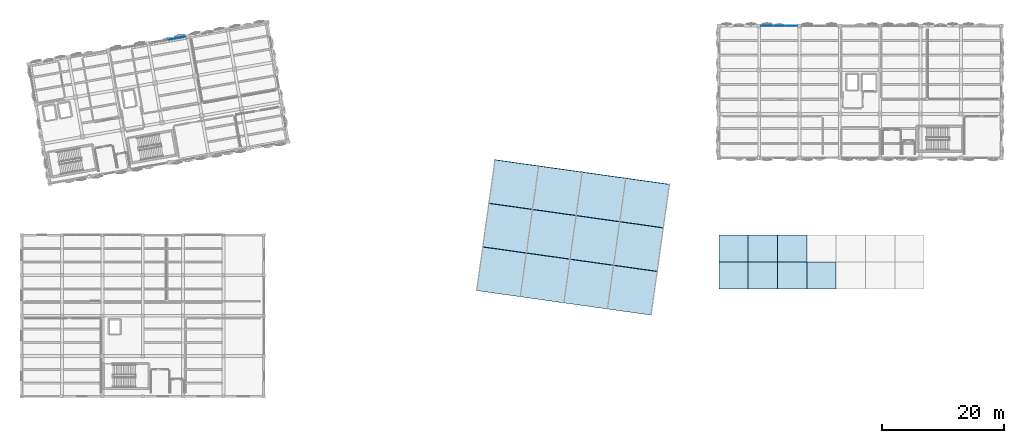
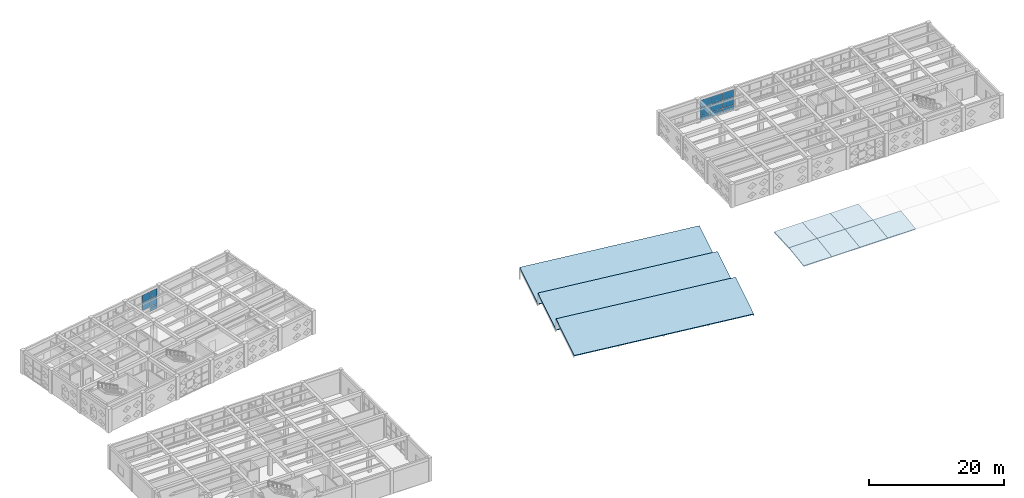
# One storey, part 29 of 48: 14 plates, 10 slabs, 2 elements without a shape of their own.
"""IFC4 building model written with IfcOpenShell, lengths in metres."""

from ifc_helpers import new_model, si_unit, direction, frame, origin, origin_2d, place, context, subcontext, project, spatial, polyline, rectangle, outline, extrude, material, layer, layer_set, type_object, element, aggregate, save


model = new_model("IFC4")

# Units and contexts
model_context = context("Model", 3, precision=1e-05, world=origin(), true_north=direction((0.0, 1.0)))
body_context = subcontext(model_context, "Body", "Model", "MODEL_VIEW")
ifc_project = project(units=[si_unit("LENGTHUNIT", "METRE"), si_unit("AREAUNIT", "SQUARE_METRE"), si_unit("VOLUMEUNIT", "CUBIC_METRE"), si_unit("PLANEANGLEUNIT", "RADIAN"), si_unit("MASSUNIT", "GRAM", prefix="KILO")], contexts=[model_context])

# Site, building, storey
site_placement = place(None, origin())
site = spatial("IfcSite", under=ifc_project, at=site_placement, CompositionType="ELEMENT")
building_placement = place(site_placement, origin())
building = spatial("IfcBuilding", under=site, at=building_placement, Name="Kharisveld Research Institute", CompositionType="ELEMENT")
storey_placement = place(building_placement, frame((0.0, 0.0, 14.10009765625)))
storey = spatial("IfcBuildingStorey", under=building, at=storey_placement, Name="L03", CompositionType="ELEMENT", Elevation=14.10009765625)

# Curtain wall, plates
ifc_material_1 = material(Name="Thermally Broken Aluminium Curtain Wall", Category="aluminium")
ifc_layer_1 = layer(ifc_material_1, 0.159912109375)
ifc_layer_set_1 = layer_set([ifc_layer_1], Name="CW_SYS_03")
curtain_wall_type_1 = type_object("IfcCurtainWallType", Name="CW_SYS_03", PredefinedType="NOTDEFINED", material=ifc_layer_set_1)
curtain_wall_1_placement = place(storey_placement, origin())
curtain_wall_1 = element("IfcCurtainWall", 1, at=curtain_wall_1_placement, inside=storey, type_object=curtain_wall_type_1, Name="CW:V1:L03:N3", PredefinedType="NOTDEFINED")
ifc_material_2 = material(Name="Low-E Double Glazing", Category="glass")
ifc_layer_2 = layer(ifc_material_2, 0.028076171875)
ifc_layer_set_2 = layer_set([ifc_layer_2], Name="CW_PNL_GLZ")
plate_type = type_object("IfcPlateType", Name="CW_PNL_GLZ", PredefinedType="CURTAIN_PANEL", material=ifc_layer_set_2)
plate_1_placement = place(storey_placement, frame((25.24462890625, 58.64990234375, 0.9326171875), z_axis=(0.0, 0.0, 1.0), x_axis=(0.984807732312, 0.173648295062, 0.0)))
plate_1 = element("IfcPlate", 2, at=plate_1_placement, type_object=plate_type, Name="CW-03 panel 3.2", PredefinedType="CURTAIN_PANEL", context=body_context, shape_type="SweptSolid", body=[
    extrude(rectangle(XDim=1.419921875, YDim=0.028076171875, at=origin_2d()), origin(), (0.0, 0.0, 1.0), 1.385009765625),
])
plate_2_placement = place(storey_placement, frame((25.24462890625, 58.64990234375, 2.38232421875), z_axis=(0.0, 0.0, 1.0), x_axis=(0.984807732312, 0.173648295062, 0.0)))
plate_2 = element("IfcPlate", 3, at=plate_2_placement, type_object=plate_type, Name="CW-03 panel 3.3", PredefinedType="CURTAIN_PANEL", context=body_context, shape_type="SweptSolid", body=[
    extrude(rectangle(XDim=1.419921875, YDim=0.028076171875, at=origin_2d()), origin(), (0.0, 0.0, 1.0), 1.33251953125),
])
plate_3_placement = place(storey_placement, frame((26.694580078125, 58.905517578125, 0.06494140625), z_axis=(0.0, 0.0, 1.0), x_axis=(0.984807732312, 0.173648295062, 0.0)))
plate_3 = element("IfcPlate", 4, at=plate_3_placement, type_object=plate_type, Name="CW-03 panel 4.1", PredefinedType="CURTAIN_PANEL", context=body_context, shape_type="SweptSolid", body=[
    extrude(rectangle(XDim=1.385009765625, YDim=0.028076171875, at=origin_2d()), origin(), (0.0, 0.0, 1.0), 0.802490234375),
])
plate_4_placement = place(storey_placement, frame((26.694580078125, 58.905517578125, 0.9326171875), z_axis=(0.0, 0.0, 1.0), x_axis=(0.984807732312, 0.173648295062, 0.0)))
plate_4 = element("IfcPlate", 5, at=plate_4_placement, type_object=plate_type, Name="CW-03 panel 4.2", PredefinedType="CURTAIN_PANEL", context=body_context, shape_type="SweptSolid", body=[
    extrude(rectangle(XDim=1.385009765625, YDim=0.028076171875, at=origin_2d()), origin(), (0.0, 0.0, 1.0), 1.385009765625),
])
plate_5_placement = place(storey_placement, frame((26.694580078125, 58.905517578125, 2.38232421875), z_axis=(0.0, 0.0, 1.0), x_axis=(0.984807732312, 0.173648295062, 0.0)))
plate_5 = element("IfcPlate", 6, at=plate_5_placement, type_object=plate_type, Name="CW-03 panel 4.3", PredefinedType="CURTAIN_PANEL", context=body_context, shape_type="SweptSolid", body=[
    extrude(rectangle(XDim=1.385009765625, YDim=0.028076171875, at=origin_2d()), origin(), (0.0, 0.0, 1.0), 1.33251953125),
])
aggregate(curtain_wall_1, [plate_1, plate_2, plate_3, plate_4, plate_5])

ifc_material_3 = material(Name="Thermally Broken Aluminium Curtain Wall", Category="aluminium")
ifc_layer_3 = layer(ifc_material_3, 0.159912109375)
ifc_layer_set_3 = layer_set([ifc_layer_3], Name="CW_SYS_05")
curtain_wall_type_2 = type_object("IfcCurtainWallType", Name="CW_SYS_05", PredefinedType="NOTDEFINED", material=ifc_layer_set_3)
curtain_wall_2_placement = place(storey_placement, origin())
curtain_wall_2 = element("IfcCurtainWall", 7, at=curtain_wall_2_placement, inside=storey, type_object=curtain_wall_type_2, Name="CW:V2:L03:N1", PredefinedType="NOTDEFINED")
plate_6_placement = place(storey_placement, frame((122.529541015625, 60.800048828125, 0.059814453125), z_axis=(0.0, 0.0, 1.0), x_axis=(1.0, 0.0, 0.0)))
plate_6 = element("IfcPlate", 8, at=plate_6_placement, type_object=plate_type, Name="CW-05 panel 1.1", PredefinedType="CURTAIN_PANEL", context=body_context, shape_type="SweptSolid", body=[
    extrude(rectangle(XDim=1.88916015625, YDim=0.028076171875, at=origin_2d()), origin(), (0.0, 0.0, 1.0), 0.81005859375),
])
plate_7_placement = place(storey_placement, frame((122.529541015625, 60.800048828125, 0.93017578125), z_axis=(0.0, 0.0, 1.0), x_axis=(1.0, 0.0, 0.0)))
plate_7 = element("IfcPlate", 9, at=plate_7_placement, type_object=plate_type, Name="CW-05 panel 1.2", PredefinedType="CURTAIN_PANEL", context=body_context, shape_type="SweptSolid", body=[
    extrude(rectangle(XDim=1.88916015625, YDim=0.028076171875, at=origin_2d()), origin(), (0.0, 0.0, 1.0), 1.389892578125),
])
plate_8_placement = place(storey_placement, frame((122.529541015625, 60.800048828125, 2.3798828125), z_axis=(0.0, 0.0, 1.0), x_axis=(1.0, 0.0, 0.0)))
plate_8 = element("IfcPlate", 10, at=plate_8_placement, type_object=plate_type, Name="CW-05 panel 1.3", PredefinedType="CURTAIN_PANEL", context=body_context, shape_type="SweptSolid", body=[
    extrude(rectangle(XDim=1.88916015625, YDim=0.028076171875, at=origin_2d()), origin(), (0.0, 0.0, 1.0), 1.340087890625),
])
plate_9_placement = place(storey_placement, frame((124.5, 60.800048828125, 0.059814453125), z_axis=(0.0, 0.0, 1.0), x_axis=(1.0, 0.0, 0.0)))
plate_9 = element("IfcPlate", 11, at=plate_9_placement, type_object=plate_type, Name="CW-05 panel 2.1", PredefinedType="CURTAIN_PANEL", context=body_context, shape_type="SweptSolid", body=[
    extrude(rectangle(XDim=1.921630859375, YDim=0.028076171875, at=origin_2d()), origin(), (0.0, 0.0, 1.0), 0.81005859375),
])
plate_10_placement = place(storey_placement, frame((124.5, 60.800048828125, 0.93017578125), z_axis=(0.0, 0.0, 1.0), x_axis=(1.0, 0.0, 0.0)))
plate_10 = element("IfcPlate", 12, at=plate_10_placement, type_object=plate_type, Name="CW-05 panel 2.2", PredefinedType="CURTAIN_PANEL", context=body_context, shape_type="SweptSolid", body=[
    extrude(rectangle(XDim=1.921630859375, YDim=0.028076171875, at=origin_2d()), origin(), (0.0, 0.0, 1.0), 1.389892578125),
])
plate_11_placement = place(storey_placement, frame((124.5, 60.800048828125, 2.3798828125), z_axis=(0.0, 0.0, 1.0), x_axis=(1.0, 0.0, 0.0)))
plate_11 = element("IfcPlate", 13, at=plate_11_placement, type_object=plate_type, Name="CW-05 panel 2.3", PredefinedType="CURTAIN_PANEL", context=body_context, shape_type="SweptSolid", body=[
    extrude(rectangle(XDim=1.921630859375, YDim=0.028076171875, at=origin_2d()), origin(), (0.0, 0.0, 1.0), 1.340087890625),
])
plate_12_placement = place(storey_placement, frame((126.470458984375, 60.800048828125, 0.059814453125), z_axis=(0.0, 0.0, 1.0), x_axis=(1.0, 0.0, 0.0)))
plate_12 = element("IfcPlate", 14, at=plate_12_placement, type_object=plate_type, Name="CW-05 panel 3.1", PredefinedType="CURTAIN_PANEL", context=body_context, shape_type="SweptSolid", body=[
    extrude(rectangle(XDim=1.88916015625, YDim=0.028076171875, at=origin_2d()), origin(), (0.0, 0.0, 1.0), 0.81005859375),
])
plate_13_placement = place(storey_placement, frame((126.470458984375, 60.800048828125, 0.93017578125), z_axis=(0.0, 0.0, 1.0), x_axis=(1.0, 0.0, 0.0)))
plate_13 = element("IfcPlate", 15, at=plate_13_placement, type_object=plate_type, Name="CW-05 panel 3.2", PredefinedType="CURTAIN_PANEL", context=body_context, shape_type="SweptSolid", body=[
    extrude(rectangle(XDim=1.88916015625, YDim=0.028076171875, at=origin_2d()), origin(), (0.0, 0.0, 1.0), 1.389892578125),
])
plate_14_placement = place(storey_placement, frame((126.470458984375, 60.800048828125, 2.3798828125), z_axis=(0.0, 0.0, 1.0), x_axis=(1.0, 0.0, 0.0)))
plate_14 = element("IfcPlate", 16, at=plate_14_placement, type_object=plate_type, Name="CW-05 panel 3.3", PredefinedType="CURTAIN_PANEL", context=body_context, shape_type="SweptSolid", body=[
    extrude(rectangle(XDim=1.88916015625, YDim=0.028076171875, at=origin_2d()), origin(), (0.0, 0.0, 1.0), 1.340087890625),
])
aggregate(curtain_wall_2, [plate_6, plate_7, plate_8, plate_9, plate_10, plate_11, plate_12, plate_13, plate_14])

# Slabs
ifc_material_4 = material(Name="Concrete C40/50", Category="concrete")
ifc_layer_4 = layer(ifc_material_4, 0.175048828125)
ifc_layer_set_4 = layer_set([ifc_layer_4], Name="SL_ROOF_175")
slab_type_1 = type_object("IfcSlabType", Name="SL_ROOF_175", PredefinedType="ROOF", material=ifc_layer_set_4)
slab_1_placement = place(storey_placement, frame((75.0, 17.5, 0.0), z_axis=(-0.037248402505, -0.26503710281, 0.963518495227), x_axis=(0.990267594993, -0.139176471807, -1.082389e-06)))
element("IfcSlab", 17, at=slab_1_placement, inside=storey, type_object=slab_type_1, Name="SLAB:V4:L03:SAWTOOTH_1", PredefinedType="ROOF", context=body_context, shape_type="SweptSolid", body=[
    extrude(outline(polyline([(0.0, 0.0), (28.800070546504255, -1.3322676295501878e-15), (28.799924180243305, 7.4727920090088835), (-0.00011238763014069455, 7.472559064403738), (0.0, 0.0)])), origin(), (0.0, 0.0, -1.0), 0.175048828125),
])
slab_2_placement = place(storey_placement, frame((76.001953125, 24.6298828125, 0.0), z_axis=(-0.037247707443, -0.265040229053, 0.963517662149), x_axis=(0.990268721446, -0.139168456646, 0.0)))
element("IfcSlab", 18, at=slab_2_placement, inside=storey, type_object=slab_type_1, Name="SLAB:V4:L03:SAWTOOTH_2", PredefinedType="ROOF", context=body_context, shape_type="SweptSolid", body=[
    extrude(outline(polyline([(0.0, 0.0), (28.800036568833686, -4.440892098500626e-16), (28.80022638662061, 7.472591802258326), (0.0001898177869254081, 7.472591802258326), (0.0, 0.0)])), origin(), (0.0, 0.0, -1.0), 0.175048828125),
])
slab_3_placement = place(storey_placement, frame((77.004150390625, 31.759765625, 0.0), z_axis=(-0.037248402505, -0.26503710281, 0.963518495227), x_axis=(0.990268679603, -0.139168754381, 1.08239e-06)))
element("IfcSlab", 19, at=slab_3_placement, inside=storey, type_object=slab_type_1, Name="SLAB:V4:L03:SAWTOOTH_3", PredefinedType="ROOF", context=body_context, shape_type="SweptSolid", body=[
    extrude(outline(polyline([(0.0, 0.0), (28.800036568815514, 0.0), (28.799984621814215, 7.472559065068335), (-8.592374797671107e-05, 7.472792009948306), (0.0, 0.0)])), origin(), (0.0, 0.0, -1.0), 0.175048828125),
])
ifc_material_5 = material(Name="Concrete C40/50", Category="concrete")
ifc_layer_5 = layer(ifc_material_5, 0.159912109375)
ifc_layer_set_5 = layer_set([ifc_layer_5], Name="SL_SHL_160")
slab_type_2 = type_object("IfcSlabType", Name="SL_SHL_160", PredefinedType="ROOF", material=ifc_layer_set_5)
slab_4_placement = place(storey_placement, frame((114.60009765625, 17.800048828125, 2.23388671875), z_axis=(0.0, -0.140044400055, 0.990145224709), x_axis=(1.0, 0.0, 0.0)))
element("IfcSlab", 20, at=slab_4_placement, inside=storey, type_object=slab_type_2, Name="SLAB:V5:L03:SHELL_B1_S5", PredefinedType="ROOF", context=body_context, shape_type="SweptSolid", body=[
    extrude(outline(polyline([(0.0, 0.0), (4.7998046875, 0.0), (4.7998046875, 4.443693949081665), (0.0, 4.443693949081665), (0.0, 0.0)])), origin(), (0.0, 0.0, -1.0), 0.159912109375),
])
for number, where, z_axis, x_axis, name in (
    (21, (119.39990234375, 17.800048828125, 2.23388671875), (0.0, -0.140044400055, 0.990145224709), (1.0, 0.0, 0.0), "SLAB:V5:L03:SHELL_B2_S5"),
    (22, (124.199951171875, 17.800048828125, 2.23388671875), (0.0, -0.140044400055, 0.990145224709), (1.0, 0.0, 0.0), "SLAB:V5:L03:SHELL_B3_S5"),
    (23, (129.0, 17.800048828125, 2.23388671875), (0.0, -0.140044400055, 0.990145224709), (1.0, 0.0, 0.0), "SLAB:V5:L03:SHELL_B4_S5"),
):
    element("IfcSlab", number, at=place(storey_placement, frame(where, z_axis=z_axis, x_axis=x_axis)), inside=storey, type_object=slab_type_2, Name=name, PredefinedType="ROOF", context=body_context, shape_type="SweptSolid", body=[
        extrude(outline(polyline([(0.0, 0.0), (4.800048828125, 0.0), (4.800048828125, 4.443693949081665), (0.0, 4.443693949081665), (0.0, 0.0)])), origin(), (0.0, 0.0, -1.0), 0.159912109375),
    ])
ifc_material_6 = material(Name="Concrete C40/50", Category="concrete")
ifc_layer_6 = layer(ifc_material_6, 0.22998046875)
ifc_layer_set_6 = layer_set([ifc_layer_6], Name="SL_SHL_230")
slab_type_3 = type_object("IfcSlabType", Name="SL_SHL_230", PredefinedType="ROOF", material=ifc_layer_set_6)
slab_5_placement = place(storey_placement, frame((114.60009765625, 22.199951171875, 2.856201171875), z_axis=(0.0, -0.055288989247, 0.998470393987), x_axis=(1.0, 0.0, 0.0)))
element("IfcSlab", 24, at=slab_5_placement, inside=storey, type_object=slab_type_3, Name="SLAB:V5:L03:SHELL_B1_S6", PredefinedType="ROOF", context=body_context, shape_type="SweptSolid", body=[
    extrude(outline(polyline([(0.0, 0.0), (4.7998046875, 0.0), (4.7998046875, 4.406887285666897), (0.0, 4.406887285666897), (0.0, 0.0)])), origin(), (0.0, 0.0, -1.0), 0.22998046875),
])
for number, where, z_axis, x_axis, name in (
    (25, (119.39990234375, 22.199951171875, 2.856201171875), (0.0, -0.055288989247, 0.998470393987), (1.0, 0.0, 0.0), "SLAB:V5:L03:SHELL_B2_S6"),
    (26, (124.199951171875, 22.199951171875, 2.856201171875), (0.0, -0.055288989247, 0.998470393987), (1.0, 0.0, 0.0), "SLAB:V5:L03:SHELL_B3_S6"),
):
    element("IfcSlab", number, at=place(storey_placement, frame(where, z_axis=z_axis, x_axis=x_axis)), inside=storey, type_object=slab_type_3, Name=name, PredefinedType="ROOF", context=body_context, shape_type="SweptSolid", body=[
        extrude(outline(polyline([(0.0, 0.0), (4.800048828125, 0.0), (4.800048828125, 4.406887285666896), (0.0, 4.406887285666896), (0.0, 0.0)])), origin(), (0.0, 0.0, -1.0), 0.22998046875),
    ])

save(model, "model.ifc")
